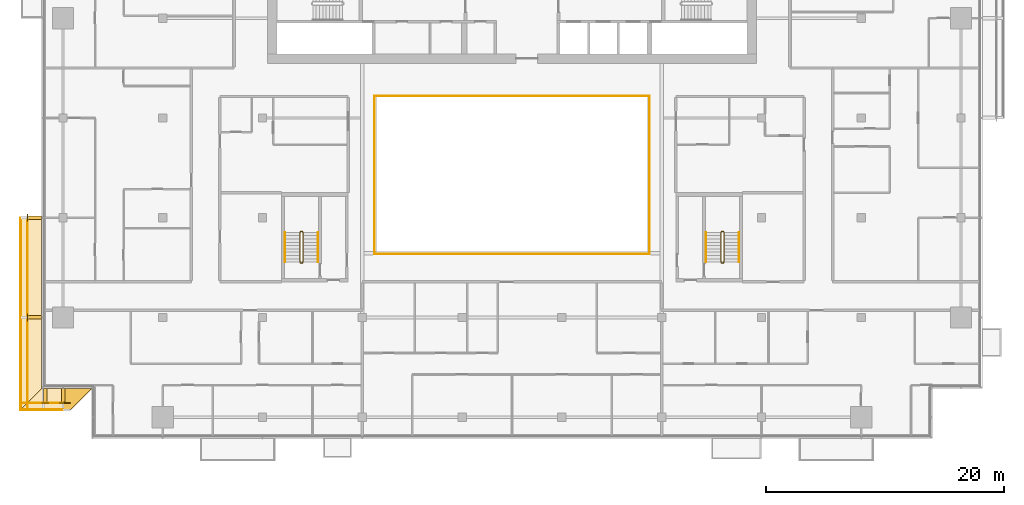
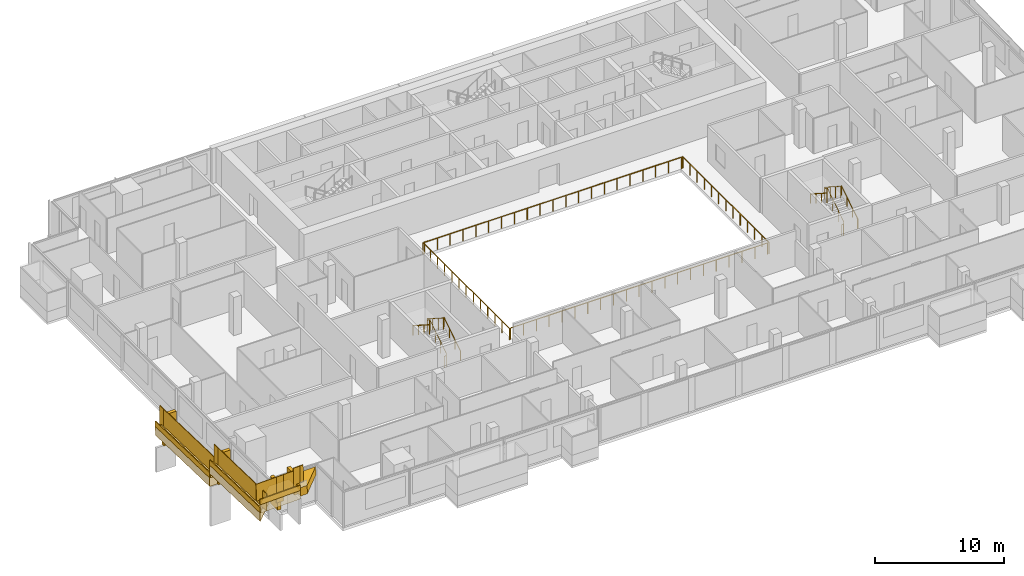
# One storey, part 27 of 30: 18 railings, 11 coverings.
"""IFC4 building model written with IfcOpenShell, lengths in metres."""

import ifcopenshell
import ifcopenshell.guid

model = None  # the IFC model being written
_history = None  # IfcOwnerHistory: only IFC2X3 demands one
_inside = {}  # id of a spatial element -> (the spatial element, [elements in it])
_under = {}  # id of a project, library or spatial element -> (it, [spatial elements below it])
_declared = {}  # id of a project -> (the project, [libraries it declares])
_typed = {}  # id of a type object -> (the type object, [elements of that type])
_made_of = {}  # id of a material, layer set ... -> (it, [elements and type objects made of it])


def new_model(schema):
    """Start an empty IFC model of exactly this schema.

    Asked for "IFC4X3", IfcOpenShell would pick the latest addendum, in which some entities
    have other attributes; the version numbers below select the first issue.
    IFC2X3 requires an IfcOwnerHistory on every rooted entity: one is made here for all.
    """
    global model, _history
    if schema == "IFC4X3":
        model = ifcopenshell.file(schema_version=(4, 3, 0, 0))
    else:
        model = ifcopenshell.file(schema=schema)
    _inside.clear()
    _under.clear()
    _declared.clear()
    _typed.clear()
    _made_of.clear()
    _history = None
    if model.schema == "IFC2X3":
        org = make("IfcOrganization", Name="unknown")
        user = make(
            "IfcPersonAndOrganization",
            ThePerson=make("IfcPerson", FamilyName="unknown"),
            TheOrganization=org,
        )
        app = make(
            "IfcApplication",
            ApplicationDeveloper=org,
            Version="unknown",
            ApplicationFullName="unknown",
            ApplicationIdentifier="unknown",
        )
        _history = make(
            "IfcOwnerHistory",
            OwningUser=user,
            OwningApplication=app,
            ChangeAction="ADDED",
            CreationDate=0,
        )
    return model


def make(cls, **values):
    """One entity of the class cls with the attributes given. An attribute that is None is left unset."""
    return model.create_entity(
        cls, **{name: value for name, value in values.items() if value is not None}
    )


def rooted(cls, **values):
    """An entity with a GlobalId (a new one), such as an element, a storey or a relation."""
    return make(cls, GlobalId=ifcopenshell.guid.new(), OwnerHistory=_history, **values)


def si_unit(unit_type, name, prefix=None):
    """IfcSIUnit, for example si_unit("LENGTHUNIT", "METRE", prefix="MILLI")."""
    return make("IfcSIUnit", UnitType=unit_type, Prefix=prefix, Name=name)


def assignment(units):
    """IfcUnitAssignment: the units of a project."""
    return None if units is None else make("IfcUnitAssignment", Units=units)


def point(xyz):
    """IfcCartesianPoint."""
    return None if xyz is None else make("IfcCartesianPoint", Coordinates=xyz)


def direction(xyz):
    """IfcDirection."""
    return None if xyz is None else make("IfcDirection", DirectionRatios=xyz)


def frame(location, z_axis=None, x_axis=None):
    """IfcAxis2Placement3D, a coordinate frame: its origin and axes. An axis left out is left unset."""
    return make(
        "IfcAxis2Placement3D",
        Location=point(location),
        Axis=direction(z_axis),
        RefDirection=direction(x_axis),
    )


def frame_2d(location, x_axis=None):
    """IfcAxis2Placement2D, a coordinate frame in the plane: its origin and x axis."""
    return make(
        "IfcAxis2Placement2D", Location=point(location), RefDirection=direction(x_axis)
    )


def origin():
    """The frame at (0, 0, 0) with its axes left unset."""
    return frame((0.0, 0.0, 0.0))


def origin_2d():
    """The frame at (0, 0) in the plane with its x axis left unset."""
    return frame_2d((0.0, 0.0))


def place(relative_to, where):
    """IfcLocalPlacement: puts the frame where relative to a parent placement (None: the world)."""
    return make(
        "IfcLocalPlacement", PlacementRelTo=relative_to, RelativePlacement=where
    )


def context(
    kind, dimensions, precision=None, world=None, true_north=None, identifier=None
):
    """IfcGeometricRepresentationContext, for example the 3D "Model" context."""
    return make(
        "IfcGeometricRepresentationContext",
        ContextIdentifier=identifier,
        ContextType=kind,
        CoordinateSpaceDimension=dimensions,
        Precision=precision,
        WorldCoordinateSystem=world,
        TrueNorth=true_north,
    )


def subcontext(parent, identifier, kind, view, scale=None):
    """IfcGeometricRepresentationSubContext, for example "Body" below "Model"."""
    return make(
        "IfcGeometricRepresentationSubContext",
        ContextIdentifier=identifier,
        ContextType=kind,
        ParentContext=parent,
        TargetScale=scale,
        TargetView=view,
    )


def project(units=None, contexts=None):
    """IfcProject with its units and contexts."""
    return rooted(
        "IfcProject",
        Name="project",
        RepresentationContexts=contexts,
        UnitsInContext=assignment(units),
    )


def spatial(cls, under=None, at=None, **own):
    """A site, building, storey or space (cls), placed at a placement, below another one or the project."""
    s = rooted(cls, ObjectPlacement=at, **own)
    if under is not None:
        _under.setdefault(under.id(), (under, []))[1].append(s)
    return s


def polyline(points):
    """IfcPolyline through the points."""
    return make("IfcPolyline", Points=[point(p) for p in points])


def profile(cls, at=None, kind="AREA", **sizes):
    """A parametric profile (cls). Its sizes go by their IFC names, for example OverallWidth=200.0."""
    return make(cls, ProfileType=kind, Position=at, **sizes)


def rectangle(**sizes):
    """IfcRectangleProfileDef."""
    return profile("IfcRectangleProfileDef", **sizes)


def circle(**sizes):
    """IfcCircleProfileDef."""
    return profile("IfcCircleProfileDef", **sizes)


def outline(outer, holes=None, kind="AREA"):
    """IfcArbitraryClosedProfileDef: a profile drawn as a closed curve; with holes, ...WithVoids."""
    if holes is None:
        return make("IfcArbitraryClosedProfileDef", ProfileType=kind, OuterCurve=outer)
    return make(
        "IfcArbitraryProfileDefWithVoids",
        ProfileType=kind,
        OuterCurve=outer,
        InnerCurves=holes,
    )


def extrude(swept, where, along, depth):
    """IfcExtrudedAreaSolid: the profile swept, set in the frame where, extruded along a direction by depth."""
    return make(
        "IfcExtrudedAreaSolid",
        SweptArea=swept,
        Position=where,
        ExtrudedDirection=direction(along),
        Depth=depth,
    )


def shape(context_of_items, identifier, shape_type, items):
    """IfcShapeRepresentation: the items that make up one representation, for example the "Body"."""
    return make(
        "IfcShapeRepresentation",
        ContextOfItems=context_of_items,
        RepresentationIdentifier=identifier,
        RepresentationType=shape_type,
        Items=items,
    )


def material(Name=None, Category=None):
    """IfcMaterial."""
    return make("IfcMaterial", Name=Name, Category=Category)


def layer(
    of_material, thickness, ventilated=None, Name=None, Category=None, Priority=None
):
    """IfcMaterialLayer: one layer of a wall or slab, of a material (None: an air gap)."""
    return make(
        "IfcMaterialLayer",
        Material=of_material,
        LayerThickness=thickness,
        IsVentilated=ventilated,
        Name=Name,
        Category=Category,
        Priority=Priority,
    )


def layer_set(layers, Name=None):
    """IfcMaterialLayerSet."""
    return make("IfcMaterialLayerSet", MaterialLayers=layers, LayerSetName=Name)


def made_of(thing, what):
    """Note that an element or type object is made of a material, layer set ...; save() writes the relation."""
    if what is not None:
        _made_of.setdefault(what.id(), (what, []))[1].append(thing)
    return thing


def type_object(cls, material=None, **own):
    """A type object (cls), such as IfcWallType, which elements share."""
    return made_of(rooted(cls, **own), material)


def element(
    cls,
    number,
    at=None,
    inside=None,
    cuts=None,
    type_object=None,
    material=None,
    context=None,
    identifier="Body",
    shape_type=None,
    held_by="IfcProductDefinitionShape",
    body=None,
    shapes=None,
    **own,
):
    """One element of the class cls, such as IfcWall. Its Tag is "e" and its number.

    at: its placement. inside: the storey or other place that contains it. cuts: it is an
    opening in that element (IfcRelVoidsElement). A single representation is given by context,
    identifier, shape_type and body (its items); several are given by shapes. held_by: the class
    of the entity that holds the representations. save() writes the other relations.
    """
    e = rooted(cls, Tag="e%d" % number, ObjectPlacement=at, **own)
    if body is not None:
        shapes = [shape(context, identifier, shape_type, body)]
    if shapes is not None:
        e.Representation = make(held_by, Representations=shapes)
    if inside is not None:
        _inside.setdefault(inside.id(), (inside, []))[1].append(e)
    if cuts is not None:
        rooted(
            "IfcRelVoidsElement", RelatingBuildingElement=cuts, RelatedOpeningElement=e
        )
    if type_object is not None:
        _typed.setdefault(type_object.id(), (type_object, []))[1].append(e)
    return made_of(e, material)


def aggregate(whole, parts):
    """IfcRelAggregates: a whole, such as a stair, and the parts it consists of."""
    return rooted("IfcRelAggregates", RelatingObject=whole, RelatedObjects=parts)


def save(model, path):
    """Write the relations noted so far, then the file.

    IfcRelAggregates (storeys below a building ...), IfcRelContainedInSpatialStructure (elements
    in a storey), IfcRelDefinesByType, IfcRelAssociatesMaterial and IfcRelDeclares: one each for
    every whole, place, type object, material and project.
    """
    for whole, parts in _under.values():
        aggregate(whole, parts)
    for where, things in _inside.values():
        rooted(
            "IfcRelContainedInSpatialStructure",
            RelatedElements=things,
            RelatingStructure=where,
        )
    for kind, things in _typed.values():
        rooted("IfcRelDefinesByType", RelatedObjects=things, RelatingType=kind)
    for what, things in _made_of.values():
        rooted("IfcRelAssociatesMaterial", RelatedObjects=things, RelatingMaterial=what)
    for by, libraries in _declared.values():
        rooted("IfcRelDeclares", RelatingContext=by, RelatedDefinitions=libraries)
    model.write(path)


model = new_model("IFC4")

# Units and contexts
model_context = context("Model", 3, precision=1e-05, world=origin(), true_north=direction((0.0, 1.0)))
body_context = subcontext(model_context, "Body", "Model", "MODEL_VIEW")
ifc_project = project(units=[si_unit("LENGTHUNIT", "METRE"), si_unit("AREAUNIT", "SQUARE_METRE"), si_unit("VOLUMEUNIT", "CUBIC_METRE"), si_unit("PLANEANGLEUNIT", "RADIAN"), si_unit("MASSUNIT", "GRAM", prefix="KILO")], contexts=[model_context])

# Site, building, storey
site_placement = place(None, origin())
site = spatial("IfcSite", under=ifc_project, at=site_placement, CompositionType="ELEMENT")
building_placement = place(site_placement, origin())
building = spatial("IfcBuilding", under=site, at=building_placement, Name="Saffron Gate Tower", CompositionType="ELEMENT")
storey_placement = place(building_placement, frame((0.0, 0.0, 165.449951171875)))
storey = spatial("IfcBuildingStorey", under=building, at=storey_placement, Name="L40", CompositionType="ELEMENT", Elevation=165.449951171875)

# Railings
ifc_material_1 = material(Name="Stainless steel and laminated glass", Category="steel")
railing_type_1 = type_object("IfcRailingType", Name="AG1 Atrium edge guard 1100", PredefinedType="GUARDRAIL", material=ifc_material_1)
railing_1_placement = place(storey_placement, frame((76.02001953125, 45.5400390625, 0.0)))
element("IfcRailing", 1, at=railing_1_placement, inside=storey, type_object=railing_type_1, Name="Guard C2-1", PredefinedType="GUARDRAIL", context=body_context, shape_type="SweptSolid", body=[
    extrude(circle(Radius=0.02392578125, at=origin_2d()), frame((0.0, 0.0, 1.076171875), z_axis=(0.0, 1.0, 0.0), x_axis=(-1.0, 0.0, 0.0)), (0.0, 0.0, 1.0), 13.320068359375),
    extrude(circle(Radius=0.02099609375, at=origin_2d()), origin(), (0.0, 0.0, 1.0), 1.052001953125),
    extrude(circle(Radius=0.02099609375, at=origin_2d()), frame((0.0, 1.110107421875, 0.0)), (0.0, 0.0, 1.0), 1.052001953125),
    extrude(circle(Radius=0.02099609375, at=origin_2d()), frame((0.0, 2.219970703125, 0.0)), (0.0, 0.0, 1.0), 1.052001953125),
    extrude(circle(Radius=0.02099609375, at=origin_2d()), frame((0.0, 3.330078125, 0.0)), (0.0, 0.0, 1.0), 1.052001953125),
    extrude(circle(Radius=0.02099609375, at=origin_2d()), frame((0.0, 4.43994140625, 0.0)), (0.0, 0.0, 1.0), 1.052001953125),
    extrude(circle(Radius=0.02099609375, at=origin_2d()), frame((0.0, 5.550048828125, 0.0)), (0.0, 0.0, 1.0), 1.052001953125),
    extrude(circle(Radius=0.02099609375, at=origin_2d()), frame((0.0, 6.66015625, 0.0)), (0.0, 0.0, 1.0), 1.052001953125),
    extrude(circle(Radius=0.02099609375, at=origin_2d()), frame((0.0, 7.77001953125, 0.0)), (0.0, 0.0, 1.0), 1.052001953125),
    extrude(circle(Radius=0.02099609375, at=origin_2d()), frame((0.0, 8.880126953125, 0.0)), (0.0, 0.0, 1.0), 1.052001953125),
    extrude(circle(Radius=0.02099609375, at=origin_2d()), frame((0.0, 9.989990234375, 0.0)), (0.0, 0.0, 1.0), 1.052001953125),
    extrude(circle(Radius=0.02099609375, at=origin_2d()), frame((0.0, 11.10009765625, 0.0)), (0.0, 0.0, 1.0), 1.052001953125),
    extrude(circle(Radius=0.02099609375, at=origin_2d()), frame((0.0, 12.2099609375, 0.0)), (0.0, 0.0, 1.0), 1.052001953125),
    extrude(circle(Radius=0.02099609375, at=origin_2d()), frame((0.0, 13.320068359375, 0.0)), (0.0, 0.0, 1.0), 1.052001953125),
])
railing_2_placement = place(storey_placement, frame((76.139892578125, 58.860107421875, 0.0)))
element("IfcRailing", 2, at=railing_2_placement, inside=storey, type_object=railing_type_1, Name="Guard C2-2", PredefinedType="GUARDRAIL", context=body_context, shape_type="SweptSolid", body=[
    extrude(circle(Radius=0.02392578125, at=origin_2d()), frame((0.0, 0.0, 1.076171875), z_axis=(1.0, 0.0, 0.0), x_axis=(0.0, 1.0, 0.0)), (0.0, 0.0, 1.0), 22.920166015625),
    extrude(circle(Radius=0.02099609375, at=origin_2d()), origin(), (0.0, 0.0, 1.0), 1.052001953125),
    extrude(circle(Radius=0.02099609375, at=origin_2d()), frame((1.14599609375, 0.0, 0.0)), (0.0, 0.0, 1.0), 1.052001953125),
    extrude(circle(Radius=0.02099609375, at=origin_2d()), frame((2.2919921875, 0.0, 0.0)), (0.0, 0.0, 1.0), 1.052001953125),
    extrude(circle(Radius=0.02099609375, at=origin_2d()), frame((3.43798828125, 0.0, 0.0)), (0.0, 0.0, 1.0), 1.052001953125),
    extrude(circle(Radius=0.02099609375, at=origin_2d()), frame((4.583984375, 0.0, 0.0)), (0.0, 0.0, 1.0), 1.052001953125),
    extrude(circle(Radius=0.02099609375, at=origin_2d()), frame((5.72998046875, 0.0, 0.0)), (0.0, 0.0, 1.0), 1.052001953125),
    extrude(circle(Radius=0.02099609375, at=origin_2d()), frame((6.8759765625, 0.0, 0.0)), (0.0, 0.0, 1.0), 1.052001953125),
    extrude(circle(Radius=0.02099609375, at=origin_2d()), frame((8.02197265625, 0.0, 0.0)), (0.0, 0.0, 1.0), 1.052001953125),
    extrude(circle(Radius=0.02099609375, at=origin_2d()), frame((9.16796875, 0.0, 0.0)), (0.0, 0.0, 1.0), 1.052001953125),
    extrude(circle(Radius=0.02099609375, at=origin_2d()), frame((10.31396484375, 0.0, 0.0)), (0.0, 0.0, 1.0), 1.052001953125),
    extrude(circle(Radius=0.02099609375, at=origin_2d()), frame((11.4599609375, 0.0, 0.0)), (0.0, 0.0, 1.0), 1.052001953125),
    extrude(circle(Radius=0.02099609375, at=origin_2d()), frame((12.606201171875, 0.0, 0.0)), (0.0, 0.0, 1.0), 1.052001953125),
    extrude(circle(Radius=0.02099609375, at=origin_2d()), frame((13.752197265625, 0.0, 0.0)), (0.0, 0.0, 1.0), 1.052001953125),
    extrude(circle(Radius=0.02099609375, at=origin_2d()), frame((14.898193359375, 0.0, 0.0)), (0.0, 0.0, 1.0), 1.052001953125),
    extrude(circle(Radius=0.02099609375, at=origin_2d()), frame((16.044189453125, 0.0, 0.0)), (0.0, 0.0, 1.0), 1.052001953125),
    extrude(circle(Radius=0.02099609375, at=origin_2d()), frame((17.190185546875, 0.0, 0.0)), (0.0, 0.0, 1.0), 1.052001953125),
    extrude(circle(Radius=0.02099609375, at=origin_2d()), frame((18.336181640625, 0.0, 0.0)), (0.0, 0.0, 1.0), 1.052001953125),
    extrude(circle(Radius=0.02099609375, at=origin_2d()), frame((19.482177734375, 0.0, 0.0)), (0.0, 0.0, 1.0), 1.052001953125),
    extrude(circle(Radius=0.02099609375, at=origin_2d()), frame((20.628173828125, 0.0, 0.0)), (0.0, 0.0, 1.0), 1.052001953125),
    extrude(circle(Radius=0.02099609375, at=origin_2d()), frame((21.774169921875, 0.0, 0.0)), (0.0, 0.0, 1.0), 1.052001953125),
    extrude(circle(Radius=0.02099609375, at=origin_2d()), frame((22.920166015625, 0.0, 0.0)), (0.0, 0.0, 1.0), 1.052001953125),
])
railing_3_placement = place(storey_placement, frame((99.179931640625, 58.860107421875, 0.0)))
element("IfcRailing", 3, at=railing_3_placement, inside=storey, type_object=railing_type_1, Name="Guard C2-3", PredefinedType="GUARDRAIL", context=body_context, shape_type="SweptSolid", body=[
    extrude(circle(Radius=0.02392578125, at=origin_2d()), frame((0.0, 0.0, 1.076171875), z_axis=(0.0, -1.0, 0.0), x_axis=(1.0, 0.0, 0.0)), (0.0, 0.0, 1.0), 13.320068359375),
    extrude(circle(Radius=0.02099609375, at=origin_2d()), origin(), (0.0, 0.0, 1.0), 1.052001953125),
    extrude(circle(Radius=0.02099609375, at=origin_2d()), frame((0.0, -1.110107421875, 0.0)), (0.0, 0.0, 1.0), 1.052001953125),
    extrude(circle(Radius=0.02099609375, at=origin_2d()), frame((0.0, -2.219970703125, 0.0)), (0.0, 0.0, 1.0), 1.052001953125),
    extrude(circle(Radius=0.02099609375, at=origin_2d()), frame((0.0, -3.330078125, 0.0)), (0.0, 0.0, 1.0), 1.052001953125),
    extrude(circle(Radius=0.02099609375, at=origin_2d()), frame((0.0, -4.43994140625, 0.0)), (0.0, 0.0, 1.0), 1.052001953125),
    extrude(circle(Radius=0.02099609375, at=origin_2d()), frame((0.0, -5.550048828125, 0.0)), (0.0, 0.0, 1.0), 1.052001953125),
    extrude(circle(Radius=0.02099609375, at=origin_2d()), frame((0.0, -6.66015625, 0.0)), (0.0, 0.0, 1.0), 1.052001953125),
    extrude(circle(Radius=0.02099609375, at=origin_2d()), frame((0.0, -7.77001953125, 0.0)), (0.0, 0.0, 1.0), 1.052001953125),
    extrude(circle(Radius=0.02099609375, at=origin_2d()), frame((0.0, -8.880126953125, 0.0)), (0.0, 0.0, 1.0), 1.052001953125),
    extrude(circle(Radius=0.02099609375, at=origin_2d()), frame((0.0, -9.989990234375, 0.0)), (0.0, 0.0, 1.0), 1.052001953125),
    extrude(circle(Radius=0.02099609375, at=origin_2d()), frame((0.0, -11.10009765625, 0.0)), (0.0, 0.0, 1.0), 1.052001953125),
    extrude(circle(Radius=0.02099609375, at=origin_2d()), frame((0.0, -12.2099609375, 0.0)), (0.0, 0.0, 1.0), 1.052001953125),
    extrude(circle(Radius=0.02099609375, at=origin_2d()), frame((0.0, -13.320068359375, 0.0)), (0.0, 0.0, 1.0), 1.052001953125),
])
railing_4_placement = place(storey_placement, frame((99.06005859375, 45.5400390625, 0.0)))
element("IfcRailing", 4, at=railing_4_placement, inside=storey, type_object=railing_type_1, Name="Guard C2-4", PredefinedType="GUARDRAIL", context=body_context, shape_type="SweptSolid", body=[
    extrude(circle(Radius=0.02392578125, at=origin_2d()), frame((0.0, 0.0, 1.076171875), z_axis=(-1.0, 0.0, 0.0), x_axis=(0.0, -1.0, 0.0)), (0.0, 0.0, 1.0), 22.920166015625),
    extrude(circle(Radius=0.02099609375, at=origin_2d()), origin(), (0.0, 0.0, 1.0), 1.052001953125),
    extrude(circle(Radius=0.02099609375, at=origin_2d()), frame((-1.14599609375, 0.0, 0.0)), (0.0, 0.0, 1.0), 1.052001953125),
    extrude(circle(Radius=0.02099609375, at=origin_2d()), frame((-2.2919921875, 0.0, 0.0)), (0.0, 0.0, 1.0), 1.052001953125),
    extrude(circle(Radius=0.02099609375, at=origin_2d()), frame((-3.43798828125, 0.0, 0.0)), (0.0, 0.0, 1.0), 1.052001953125),
    extrude(circle(Radius=0.02099609375, at=origin_2d()), frame((-4.583984375, 0.0, 0.0)), (0.0, 0.0, 1.0), 1.052001953125),
    extrude(circle(Radius=0.02099609375, at=origin_2d()), frame((-5.72998046875, 0.0, 0.0)), (0.0, 0.0, 1.0), 1.052001953125),
    extrude(circle(Radius=0.02099609375, at=origin_2d()), frame((-6.8759765625, 0.0, 0.0)), (0.0, 0.0, 1.0), 1.052001953125),
    extrude(circle(Radius=0.02099609375, at=origin_2d()), frame((-8.02197265625, 0.0, 0.0)), (0.0, 0.0, 1.0), 1.052001953125),
    extrude(circle(Radius=0.02099609375, at=origin_2d()), frame((-9.16796875, 0.0, 0.0)), (0.0, 0.0, 1.0), 1.052001953125),
    extrude(circle(Radius=0.02099609375, at=origin_2d()), frame((-10.31396484375, 0.0, 0.0)), (0.0, 0.0, 1.0), 1.052001953125),
    extrude(circle(Radius=0.02099609375, at=origin_2d()), frame((-11.4599609375, 0.0, 0.0)), (0.0, 0.0, 1.0), 1.052001953125),
    extrude(circle(Radius=0.02099609375, at=origin_2d()), frame((-12.606201171875, 0.0, 0.0)), (0.0, 0.0, 1.0), 1.052001953125),
    extrude(circle(Radius=0.02099609375, at=origin_2d()), frame((-13.752197265625, 0.0, 0.0)), (0.0, 0.0, 1.0), 1.052001953125),
    extrude(circle(Radius=0.02099609375, at=origin_2d()), frame((-14.898193359375, 0.0, 0.0)), (0.0, 0.0, 1.0), 1.052001953125),
    extrude(circle(Radius=0.02099609375, at=origin_2d()), frame((-16.044189453125, 0.0, 0.0)), (0.0, 0.0, 1.0), 1.052001953125),
    extrude(circle(Radius=0.02099609375, at=origin_2d()), frame((-17.190185546875, 0.0, 0.0)), (0.0, 0.0, 1.0), 1.052001953125),
    extrude(circle(Radius=0.02099609375, at=origin_2d()), frame((-18.336181640625, 0.0, 0.0)), (0.0, 0.0, 1.0), 1.052001953125),
    extrude(circle(Radius=0.02099609375, at=origin_2d()), frame((-19.482177734375, 0.0, 0.0)), (0.0, 0.0, 1.0), 1.052001953125),
    extrude(circle(Radius=0.02099609375, at=origin_2d()), frame((-20.628173828125, 0.0, 0.0)), (0.0, 0.0, 1.0), 1.052001953125),
    extrude(circle(Radius=0.02099609375, at=origin_2d()), frame((-21.774169921875, 0.0, 0.0)), (0.0, 0.0, 1.0), 1.052001953125),
    extrude(circle(Radius=0.02099609375, at=origin_2d()), frame((-22.920166015625, 0.0, 0.0)), (0.0, 0.0, 1.0), 1.052001953125),
])
railing_type_2 = type_object("IfcRailingType", Name="CR1 Stair guard 1100", PredefinedType="GUARDRAIL", material=ifc_material_1)
railing_5_placement = place(storey_placement, frame((69.800048828125, 44.800048828125, 0.0)))
element("IfcRailing", 5, at=railing_5_placement, inside=storey, type_object=railing_type_2, Name="L40 ST-D stair guard 1", PredefinedType="GUARDRAIL", context=body_context, shape_type="SweptSolid", body=[
    extrude(circle(Radius=0.02392578125, at=origin_2d()), frame((0.0, 0.0, 1.076171875), z_axis=(1.0, 0.0, 0.0), x_axis=(0.0, 1.0, 0.0)), (0.0, 0.0, 1.0), 0.14990234375),
    extrude(circle(Radius=0.02392578125, at=origin_2d()), frame((0.14990234375, 0.0, 1.076171875), z_axis=(0.258847668887, 0.258847668887, 0.930588936439), x_axis=(-0.707106781187, 0.707106781187, 0.0)), (0.0, 0.0, 1.0), 0.193359375),
    extrude(circle(Radius=0.02392578125, at=origin_2d()), frame((0.199951171875, 0.050048828125, 1.255859375), z_axis=(0.0, 0.841162588446, 0.540782303519), x_axis=(-1.0, 0.0, 0.0)), (0.0, 0.0, 1.0), 2.995849609375),
    extrude(circle(Radius=0.02392578125, at=origin_2d()), frame((0.199951171875, 2.570068359375, 2.8759765625), z_axis=(-0.708833529934, 0.705375805398, 0.0), x_axis=(-0.705375805398, -0.708833529934, 0.0)), (0.0, 0.0, 1.0), 0.070556640625),
    extrude(circle(Radius=0.02392578125, at=origin_2d()), frame((0.14990234375, 2.619873046875, 2.8759765625), z_axis=(-1.0, 0.0, 0.0), x_axis=(0.0, -1.0, 0.0)), (0.0, 0.0, 1.0), 0.14990234375),
    extrude(circle(Radius=0.02392578125, at=origin_2d()), frame((0.0, 2.619873046875, 2.8759765625), z_axis=(-0.258932105505, -0.257669022063, 0.930892496375), x_axis=(0.705375805398, -0.708833529934, 0.0)), (0.0, 0.0, 1.0), 0.193359375),
    extrude(circle(Radius=0.02392578125, at=origin_2d()), frame((-0.050048828125, 2.570068359375, 3.05615234375), z_axis=(0.0, -0.841162588446, 0.540782303519), x_axis=(1.0, 0.0, 0.0)), (0.0, 0.0, 1.0), 2.995849609375),
    extrude(circle(Radius=0.02099609375, at=origin_2d()), origin(), (0.0, 0.0, 1.0), 1.052001953125),
    extrude(circle(Radius=0.02099609375, at=origin_2d()), frame((0.14990234375, 0.0, 0.0)), (0.0, 0.0, 1.0), 1.052001953125),
    extrude(circle(Radius=0.02099609375, at=origin_2d()), frame((0.199951171875, 0.050048828125, 0.179931640625)), (0.0, 0.0, 1.0), 1.052001953125),
    extrude(circle(Radius=0.02099609375, at=origin_2d()), frame((0.199951171875, 0.89013671875, 0.719970703125)), (0.0, 0.0, 1.0), 1.052001953125),
    extrude(circle(Radius=0.02099609375, at=origin_2d()), frame((0.199951171875, 1.72998046875, 1.260009765625)), (0.0, 0.0, 1.0), 1.052001953125),
    extrude(circle(Radius=0.02099609375, at=origin_2d()), frame((0.199951171875, 2.570068359375, 1.800048828125)), (0.0, 0.0, 1.0), 1.052001953125),
    extrude(circle(Radius=0.02099609375, at=origin_2d()), frame((0.14990234375, 2.619873046875, 1.800048828125)), (0.0, 0.0, 1.0), 1.052001953125),
    extrude(circle(Radius=0.02099609375, at=origin_2d()), frame((0.0, 2.619873046875, 1.800048828125)), (0.0, 0.0, 1.0), 1.052001953125),
    extrude(circle(Radius=0.02099609375, at=origin_2d()), frame((-0.050048828125, 2.570068359375, 1.97998046875)), (0.0, 0.0, 1.0), 1.052001953125),
    extrude(circle(Radius=0.02099609375, at=origin_2d()), frame((-0.050048828125, 1.72998046875, 2.52001953125)), (0.0, 0.0, 1.0), 1.052001953125),
    extrude(circle(Radius=0.02099609375, at=origin_2d()), frame((-0.050048828125, 0.89013671875, 3.06005859375)), (0.0, 0.0, 1.0), 1.052001953125),
    extrude(circle(Radius=0.02099609375, at=origin_2d()), frame((-0.050048828125, 0.050048828125, 3.60009765625)), (0.0, 0.0, 1.0), 1.052001953125),
])
railing_6_placement = place(storey_placement, frame((105.25, 44.800048828125, 0.0)))
element("IfcRailing", 6, at=railing_6_placement, inside=storey, type_object=railing_type_2, Name="L40 ST-E stair guard 1", PredefinedType="GUARDRAIL", context=body_context, shape_type="SweptSolid", body=[
    extrude(circle(Radius=0.02392578125, at=origin_2d()), frame((0.0, 0.0, 1.076171875), z_axis=(1.0, 0.0, 0.0), x_axis=(0.0, 1.0, 0.0)), (0.0, 0.0, 1.0), 0.14990234375),
    extrude(circle(Radius=0.02392578125, at=origin_2d()), frame((0.14990234375, 0.0, 1.076171875), z_axis=(0.258847668887, 0.258847668887, 0.930588936439), x_axis=(-0.707106781187, 0.707106781187, 0.0)), (0.0, 0.0, 1.0), 0.193359375),
    extrude(circle(Radius=0.02392578125, at=origin_2d()), frame((0.199951171875, 0.050048828125, 1.255859375), z_axis=(0.0, 0.841162588446, 0.540782303519), x_axis=(-1.0, 0.0, 0.0)), (0.0, 0.0, 1.0), 2.995849609375),
    extrude(circle(Radius=0.02392578125, at=origin_2d()), frame((0.199951171875, 2.570068359375, 2.8759765625), z_axis=(-0.708833529934, 0.705375805398, 0.0), x_axis=(-0.705375805398, -0.708833529934, 0.0)), (0.0, 0.0, 1.0), 0.070556640625),
    extrude(circle(Radius=0.02392578125, at=origin_2d()), frame((0.14990234375, 2.619873046875, 2.8759765625), z_axis=(-1.0, 0.0, 0.0), x_axis=(0.0, -1.0, 0.0)), (0.0, 0.0, 1.0), 0.14990234375),
    extrude(circle(Radius=0.02392578125, at=origin_2d()), frame((0.0, 2.619873046875, 2.8759765625), z_axis=(-0.258932105505, -0.257669022063, 0.930892496375), x_axis=(0.705375805398, -0.708833529934, 0.0)), (0.0, 0.0, 1.0), 0.193359375),
    extrude(circle(Radius=0.02392578125, at=origin_2d()), frame((-0.050048828125, 2.570068359375, 3.05615234375), z_axis=(0.0, -0.841162588446, 0.540782303519), x_axis=(1.0, 0.0, 0.0)), (0.0, 0.0, 1.0), 2.995849609375),
    extrude(circle(Radius=0.02099609375, at=origin_2d()), origin(), (0.0, 0.0, 1.0), 1.052001953125),
    extrude(circle(Radius=0.02099609375, at=origin_2d()), frame((0.14990234375, 0.0, 0.0)), (0.0, 0.0, 1.0), 1.052001953125),
    extrude(circle(Radius=0.02099609375, at=origin_2d()), frame((0.199951171875, 0.050048828125, 0.179931640625)), (0.0, 0.0, 1.0), 1.052001953125),
    extrude(circle(Radius=0.02099609375, at=origin_2d()), frame((0.199951171875, 0.89013671875, 0.719970703125)), (0.0, 0.0, 1.0), 1.052001953125),
    extrude(circle(Radius=0.02099609375, at=origin_2d()), frame((0.199951171875, 1.72998046875, 1.260009765625)), (0.0, 0.0, 1.0), 1.052001953125),
    extrude(circle(Radius=0.02099609375, at=origin_2d()), frame((0.199951171875, 2.570068359375, 1.800048828125)), (0.0, 0.0, 1.0), 1.052001953125),
    extrude(circle(Radius=0.02099609375, at=origin_2d()), frame((0.14990234375, 2.619873046875, 1.800048828125)), (0.0, 0.0, 1.0), 1.052001953125),
    extrude(circle(Radius=0.02099609375, at=origin_2d()), frame((0.0, 2.619873046875, 1.800048828125)), (0.0, 0.0, 1.0), 1.052001953125),
    extrude(circle(Radius=0.02099609375, at=origin_2d()), frame((-0.050048828125, 2.570068359375, 1.97998046875)), (0.0, 0.0, 1.0), 1.052001953125),
    extrude(circle(Radius=0.02099609375, at=origin_2d()), frame((-0.050048828125, 1.72998046875, 2.52001953125)), (0.0, 0.0, 1.0), 1.052001953125),
    extrude(circle(Radius=0.02099609375, at=origin_2d()), frame((-0.050048828125, 0.89013671875, 3.06005859375)), (0.0, 0.0, 1.0), 1.052001953125),
    extrude(circle(Radius=0.02099609375, at=origin_2d()), frame((-0.050048828125, 0.050048828125, 3.60009765625)), (0.0, 0.0, 1.0), 1.052001953125),
])
ifc_material_2 = material(Name="Stainless steel", Category="steel")
railing_type_3 = type_object("IfcRailingType", Name="CR2 Stair handrail 900", PredefinedType="HANDRAIL", material=ifc_material_2)
railing_7_placement = place(storey_placement, frame((71.25, 44.85009765625, 0.179931640625)))
element("IfcRailing", 7, at=railing_7_placement, inside=storey, type_object=railing_type_3, Name="L40 ST-D stair handrail 1", PredefinedType="HANDRAIL", context=body_context, shape_type="SweptSolid", body=[
    extrude(circle(Radius=0.02392578125, at=origin_2d()), frame((0.0, 0.0, 0.8759765625), z_axis=(0.0, 0.841162588446, 0.540782303519), x_axis=(-1.0, 0.0, 0.0)), (0.0, 0.0, 1.0), 2.995849609375),
    extrude(circle(Radius=0.02099609375, at=origin_2d()), origin(), (0.0, 0.0, 1.0), 0.851806640625),
    extrude(circle(Radius=0.02099609375, at=origin_2d()), frame((0.0, 0.840087890625, 0.5400390625)), (0.0, 0.0, 1.0), 0.851806640625),
    extrude(circle(Radius=0.02099609375, at=origin_2d()), frame((0.0, 1.679931640625, 1.080078125)), (0.0, 0.0, 1.0), 0.851806640625),
    extrude(circle(Radius=0.02099609375, at=origin_2d()), frame((0.0, 2.52001953125, 1.6201171875)), (0.0, 0.0, 1.0), 0.851806640625),
])
railing_8_placement = place(storey_placement, frame((68.5, 47.3701171875, 1.97998046875)))
element("IfcRailing", 8, at=railing_8_placement, inside=storey, type_object=railing_type_3, Name="L40 ST-D stair handrail 2", PredefinedType="HANDRAIL", context=body_context, shape_type="SweptSolid", body=[
    extrude(circle(Radius=0.02392578125, at=origin_2d()), frame((0.0, 0.0, 0.8759765625), z_axis=(0.0, -0.841162588446, 0.540782303519), x_axis=(1.0, 0.0, 0.0)), (0.0, 0.0, 1.0), 2.995849609375),
    extrude(circle(Radius=0.02099609375, at=origin_2d()), origin(), (0.0, 0.0, 1.0), 0.851806640625),
    extrude(circle(Radius=0.02099609375, at=origin_2d()), frame((0.0, -0.840087890625, 0.5400390625)), (0.0, 0.0, 1.0), 0.851806640625),
    extrude(circle(Radius=0.02099609375, at=origin_2d()), frame((0.0, -1.679931640625, 1.080078125)), (0.0, 0.0, 1.0), 0.851806640625),
    extrude(circle(Radius=0.02099609375, at=origin_2d()), frame((0.0, -2.52001953125, 1.6201171875)), (0.0, 0.0, 1.0), 0.851806640625),
])
railing_9_placement = place(storey_placement, frame((106.699951171875, 44.85009765625, 0.179931640625)))
element("IfcRailing", 9, at=railing_9_placement, inside=storey, type_object=railing_type_3, Name="L40 ST-E stair handrail 1", PredefinedType="HANDRAIL", context=body_context, shape_type="SweptSolid", body=[
    extrude(circle(Radius=0.02392578125, at=origin_2d()), frame((0.0, 0.0, 0.8759765625), z_axis=(0.0, 0.841162588446, 0.540782303519), x_axis=(-1.0, 0.0, 0.0)), (0.0, 0.0, 1.0), 2.995849609375),
    extrude(circle(Radius=0.02099609375, at=origin_2d()), origin(), (0.0, 0.0, 1.0), 0.851806640625),
    extrude(circle(Radius=0.02099609375, at=origin_2d()), frame((0.0, 0.840087890625, 0.5400390625)), (0.0, 0.0, 1.0), 0.851806640625),
    extrude(circle(Radius=0.02099609375, at=origin_2d()), frame((0.0, 1.679931640625, 1.080078125)), (0.0, 0.0, 1.0), 0.851806640625),
    extrude(circle(Radius=0.02099609375, at=origin_2d()), frame((0.0, 2.52001953125, 1.6201171875)), (0.0, 0.0, 1.0), 0.851806640625),
])
railing_10_placement = place(storey_placement, frame((103.949951171875, 47.3701171875, 1.97998046875)))
element("IfcRailing", 10, at=railing_10_placement, inside=storey, type_object=railing_type_3, Name="L40 ST-E stair handrail 2", PredefinedType="HANDRAIL", context=body_context, shape_type="SweptSolid", body=[
    extrude(circle(Radius=0.02392578125, at=origin_2d()), frame((0.0, 0.0, 0.8759765625), z_axis=(0.0, -0.841162588446, 0.540782303519), x_axis=(1.0, 0.0, 0.0)), (0.0, 0.0, 1.0), 2.995849609375),
    extrude(circle(Radius=0.02099609375, at=origin_2d()), origin(), (0.0, 0.0, 1.0), 0.851806640625),
    extrude(circle(Radius=0.02099609375, at=origin_2d()), frame((0.0, -0.840087890625, 0.5400390625)), (0.0, 0.0, 1.0), 0.851806640625),
    extrude(circle(Radius=0.02099609375, at=origin_2d()), frame((0.0, -1.679931640625, 1.080078125)), (0.0, 0.0, 1.0), 0.851806640625),
    extrude(circle(Radius=0.02099609375, at=origin_2d()), frame((0.0, -2.52001953125, 1.6201171875)), (0.0, 0.0, 1.0), 0.851806640625),
])

# Coverings
ifc_material_3 = material(Name="Timber, thermally modified ash", Category="wood")
ifc_layer_1 = layer(ifc_material_3, 0.800048828125)
ifc_layer_set_1 = layer_set([ifc_layer_1], Name="LD1 ledge timber")
covering_type_1 = type_object("IfcCoveringType", Name="LD1 ledge timber", PredefinedType="CLADDING", material=ifc_layer_set_1)
covering_1_placement = place(storey_placement, frame((48.0, 48.60009765625, 0.4140625), z_axis=(0.0, 0.028790339263, 0.999585472266), x_axis=(0.0, -0.999585472266, 0.028790339263)))
element("IfcCovering", 11, at=covering_1_placement, inside=storey, type_object=covering_type_1, Name="LEDGE", PredefinedType="CLADDING", context=body_context, shape_type="SweptSolid", body=[
    extrude(outline(polyline([(0.0, 0.0), (8.403630022085892, 0.0), (8.403630022085892, -1.800048828125), (0.0, -1.800048828125), (0.0, 0.0)])), origin(), (0.0, 0.0, -1.0), 0.800048828125),
])
covering_2_placement = place(storey_placement, frame((48.0, 40.199951171875, 1.8564453125), z_axis=(-2.391759e-05, 0.028789477025, 0.999585496814), x_axis=(1.72e-10, -0.9995854971, 0.028789477033)))
element("IfcCovering", 12, at=covering_2_placement, inside=storey, type_object=covering_type_1, Name="LEDGE", PredefinedType="CLADDING", context=body_context, shape_type="SweptSolid", body=[
    extrude(outline(polyline([(0.0, 0.0), (6.002489288687248, 8.470329472543003e-22), (7.80328207139786, -1.8000488299785034), (-3.0879623774719253e-10, -1.8000488276101398), (0.0, 0.0)])), origin(), (0.0, 0.0, -1.0), 0.800048828125),
])
covering_3_placement = place(storey_placement, frame((48.0, 34.199951171875, 2.88671875), z_axis=(-0.028741681402, 0.0, 0.999586872538), x_axis=(0.999586872538, 0.0, 0.028741681402)))
element("IfcCovering", 13, at=covering_3_placement, inside=storey, type_object=covering_type_1, Name="LEDGE", PredefinedType="CLADDING", context=body_context, shape_type="SweptSolid", body=[
    extrude(outline(polyline([(0.0, 0.0), (1.8007927850779974, 0.0), (1.8007927850779974, -1.800048828125), (-1.8007927850779974, -1.800048828125), (0.0, 0.0)])), origin(), (0.0, 0.0, -1.0), 0.800048828125),
])
covering_4_placement = place(storey_placement, frame((49.800048828125, 34.199951171875, 3.19580078125), z_axis=(-0.028798988267, 2.8677152e-05, 0.999585222706), x_axis=(0.999585223117, 6.17e-10, 0.028798988279)))
element("IfcCovering", 14, at=covering_4_placement, inside=storey, type_object=covering_type_1, Name="LEDGE", PredefinedType="CLADDING", context=body_context, shape_type="SweptSolid", body=[
    extrude(outline(polyline([(0.0, 0.0), (2.400896693585025, 4.235164736271502e-22), (0.6001039103565923, -1.8000488292351675), (-1.1098572600196767e-09, -1.8000488273848385), (0.0, 0.0)])), origin(), (0.0, 0.0, -1.0), 0.800048828125),
])
ifc_layer_2 = layer(ifc_material_3, 0.080078125)
ifc_layer_set_2 = layer_set([ifc_layer_2], Name="LD2 ledge planter trough")
covering_type_2 = type_object("IfcCoveringType", Name="LD2 ledge planter trough", PredefinedType="CLADDING", material=ifc_layer_set_2)
covering_5_placement = place(storey_placement, frame((46.199951171875, 48.60009765625, 0.4140625), z_axis=(-1.0, 0.0, 0.0), x_axis=(0.0, -0.999585472266, 0.028790339263)))
element("IfcCovering", 15, at=covering_5_placement, inside=storey, type_object=covering_type_2, Name="LEDGE planter trough", PredefinedType="CLADDING", context=body_context, shape_type="SweptSolid", body=[
    extrude(outline(polyline([(0.0, 0.0), (8.403630022085892, 0.0), (8.418025191717298, 0.4997927361329725), (0.014395169631405694, 0.4997927361329725), (0.0, 0.0)])), origin(), (0.0, 0.0, -1.0), 0.080078125),
])
covering_6_placement = place(storey_placement, frame((46.199951171875, 40.199951171875, 1.8564453125), z_axis=(-1.0, 0.0, 0.0), x_axis=(0.0, -0.999585655924, 0.028783962047)))
element("IfcCovering", 16, at=covering_6_placement, inside=storey, type_object=covering_type_2, Name="LEDGE planter trough", PredefinedType="CLADDING", context=body_context, shape_type="SweptSolid", body=[
    extrude(outline(polyline([(0.0, 0.0), (7.803282071825423, 2.7755575615628914e-17), (7.817674052849086, 0.4997928279619612), (0.014391981023662846, 0.4997928279619612), (0.0, 0.0)])), origin(), (0.0, 0.0, -1.0), 0.080078125),
])
covering_7_placement = place(storey_placement, frame((46.199951171875, 32.39990234375, 2.8349609375), z_axis=(0.0, -1.0, 0.0), x_axis=(0.999586872538, 0.0, 0.028741681402)))
element("IfcCovering", 17, at=covering_7_placement, inside=storey, type_object=covering_type_2, Name="LEDGE planter trough", PredefinedType="CLADDING", context=body_context, shape_type="SweptSolid", body=[
    extrude(outline(polyline([(0.0, 0.0), (3.601585570155995, 0.0), (3.6159564108570694, 0.49979343626896944), (0.014370840701074394, 0.4997934362689694), (0.0, 0.0)])), origin(), (0.0, 0.0, -1.0), 0.080078125),
])
ifc_layer_3 = layer(ifc_material_3, 0.300048828125)
ifc_layer_set_3 = layer_set([ifc_layer_3], Name="LD3 ledge riser fin")
covering_type_3 = type_object("IfcCoveringType", Name="LD3 ledge riser fin", PredefinedType="CLADDING", material=ifc_layer_set_3)
for number, where, z_axis, x_axis, name in (
    (18, (47.43994140625, 48.60009765625, -1.586181640625), (0.0, 0.0, 1.0), (0.0, -1.0, 0.0), "LEDGE riser fin"),
    (19, (47.43994140625, 40.199951171875, -0.143798828125), (0.0, 0.0, 1.0), (0.0, -1.0, 0.0), "LEDGE riser fin"),
):
    element("IfcCovering", number, at=place(storey_placement, frame(where, z_axis=z_axis, x_axis=x_axis)), inside=storey, type_object=covering_type_3, Name=name, PredefinedType="CLADDING", context=body_context, shape_type="SweptSolid", body=[
        extrude(rectangle(XDim=0.300048828125, YDim=1.1201171875, at=origin_2d()), origin(), (0.0, 0.0, 1.0), 2.900390625),
    ])
covering_8_placement = place(storey_placement, frame((48.300048828125, 33.639892578125, 1.2294921875), z_axis=(0.0, 0.0, 1.0), x_axis=(1.0, 0.0, 0.0)))
element("IfcCovering", 20, at=covering_8_placement, inside=storey, type_object=covering_type_3, Name="LEDGE riser fin", PredefinedType="CLADDING", context=body_context, shape_type="SweptSolid", body=[
    extrude(rectangle(XDim=0.300048828125, YDim=1.1201171875, at=origin_2d()), origin(), (0.0, 0.0, 1.0), 2.557373046875),
])
covering_9_placement = place(storey_placement, frame((49.800048828125, 33.639892578125, 2.138671875), z_axis=(0.0, 0.0, 1.0), x_axis=(1.0, 0.0, 0.0)))
element("IfcCovering", 21, at=covering_9_placement, inside=storey, type_object=covering_type_3, Name="LEDGE riser fin", PredefinedType="CLADDING", context=body_context, shape_type="SweptSolid", body=[
    extrude(rectangle(XDim=0.300048828125, YDim=1.1201171875, at=origin_2d()), origin(), (0.0, 0.0, 1.0), 1.957275390625),
])

# Railings
railing_type_4 = type_object("IfcRailingType", Name="LG1 ledge balustrade", PredefinedType="BALUSTRADE", material=ifc_material_3)
railing_11_placement = place(storey_placement, frame((46.800048828125, 48.60009765625, 0.4140625)))
element("IfcRailing", 22, at=railing_11_placement, inside=storey, type_object=railing_type_4, Name="LEDGE BALUSTRADE", PredefinedType="BALUSTRADE", context=body_context, shape_type="SweptSolid", body=[
    extrude(rectangle(XDim=0.06005859375, YDim=1.60009765625, at=origin_2d()), frame((0.0, 0.0, 0.800048828125), z_axis=(0.0, -0.999585472266, 0.028790339263), x_axis=(1.0, 0.0, 0.0)), (0.0, 0.0, 1.0), 8.403564453125),
])
railing_12_placement = place(storey_placement, frame((46.800048828125, 48.89990234375, -0.7861328125)))
element("IfcRailing", 23, at=railing_12_placement, inside=storey, type_object=railing_type_4, Name="LEDGE BALUSTRADE", PredefinedType="BALUSTRADE", context=body_context, shape_type="SweptSolid", body=[
    extrude(rectangle(XDim=0.06005859375, YDim=2.80029296875, at=origin_2d()), frame((0.0, 0.0, 1.400146484375), z_axis=(0.0, -1.0, 0.0), x_axis=(1.0, 0.0, 0.0)), (0.0, 0.0, 1.0), 0.599853515625),
])
railing_13_placement = place(storey_placement, frame((46.800048828125, 40.199951171875, 1.8564453125)))
element("IfcRailing", 24, at=railing_13_placement, inside=storey, type_object=railing_type_4, Name="LEDGE BALUSTRADE", PredefinedType="BALUSTRADE", context=body_context, shape_type="SweptSolid", body=[
    extrude(rectangle(XDim=0.06005859375, YDim=1.60009765625, at=origin_2d()), frame((0.0, 0.0, 0.800048828125), z_axis=(0.0, -0.999585655924, 0.028783962047), x_axis=(1.0, 0.0, 0.0)), (0.0, 0.0, 1.0), 7.80322265625),
])
railing_14_placement = place(storey_placement, frame((46.800048828125, 40.5, 0.656005859375)))
element("IfcRailing", 25, at=railing_14_placement, inside=storey, type_object=railing_type_4, Name="LEDGE BALUSTRADE", PredefinedType="BALUSTRADE", context=body_context, shape_type="SweptSolid", body=[
    extrude(rectangle(XDim=0.06005859375, YDim=2.80029296875, at=origin_2d()), frame((0.0, 0.0, 1.400146484375), z_axis=(0.0, -1.0, 0.0), x_axis=(1.0, 0.0, 0.0)), (0.0, 0.0, 1.0), 0.60009765625),
])
railing_15_placement = place(storey_placement, frame((46.199951171875, 33.0, 2.8349609375)))
element("IfcRailing", 26, at=railing_15_placement, inside=storey, type_object=railing_type_4, Name="LEDGE BALUSTRADE", PredefinedType="BALUSTRADE", context=body_context, shape_type="SweptSolid", body=[
    extrude(rectangle(XDim=0.06005859375, YDim=1.60009765625, at=origin_2d()), frame((0.0, 0.0, 0.800048828125), z_axis=(0.999586872538, 0.0, 0.028741681402), x_axis=(0.0, 1.0, 0.0)), (0.0, 0.0, 1.0), 3.6015625),
])
railing_16_placement = place(storey_placement, frame((48.0, 33.0, 2.029296875)))
element("IfcRailing", 27, at=railing_16_placement, inside=storey, type_object=railing_type_4, Name="LEDGE BALUSTRADE", PredefinedType="BALUSTRADE", context=body_context, shape_type="SweptSolid", body=[
    extrude(rectangle(XDim=0.06005859375, YDim=2.45751953125, at=origin_2d()), frame((0.0, 0.0, 1.228759765625), z_axis=(1.0, 0.0, 0.0), x_axis=(0.0, 1.0, 0.0)), (0.0, 0.0, 1.0), 0.60009765625),
])
railing_17_placement = place(storey_placement, frame((49.800048828125, 33.0, 3.19580078125)))
element("IfcRailing", 28, at=railing_17_placement, inside=storey, type_object=railing_type_4, Name="LEDGE BALUSTRADE", PredefinedType="BALUSTRADE", context=body_context, shape_type="SweptSolid", body=[
    extrude(rectangle(XDim=0.06005859375, YDim=1.60009765625, at=origin_2d()), frame((0.0, 0.0, 0.800048828125), z_axis=(0.999582742162, 0.0, 0.028884971385), x_axis=(0.0, 1.0, 0.0)), (0.0, 0.0, 1.0), 0.60009765625),
])
railing_18_placement = place(storey_placement, frame((49.5, 33.0, 2.9384765625)))
element("IfcRailing", 29, at=railing_18_placement, inside=storey, type_object=railing_type_4, Name="LEDGE BALUSTRADE", PredefinedType="BALUSTRADE", context=body_context, shape_type="SweptSolid", body=[
    extrude(rectangle(XDim=0.06005859375, YDim=1.857177734375, at=origin_2d()), frame((0.0, 0.0, 0.9287109375), z_axis=(1.0, 0.0, 0.0), x_axis=(0.0, 1.0, 0.0)), (0.0, 0.0, 1.0), 0.60009765625),
])

save(model, "model.ifc")
